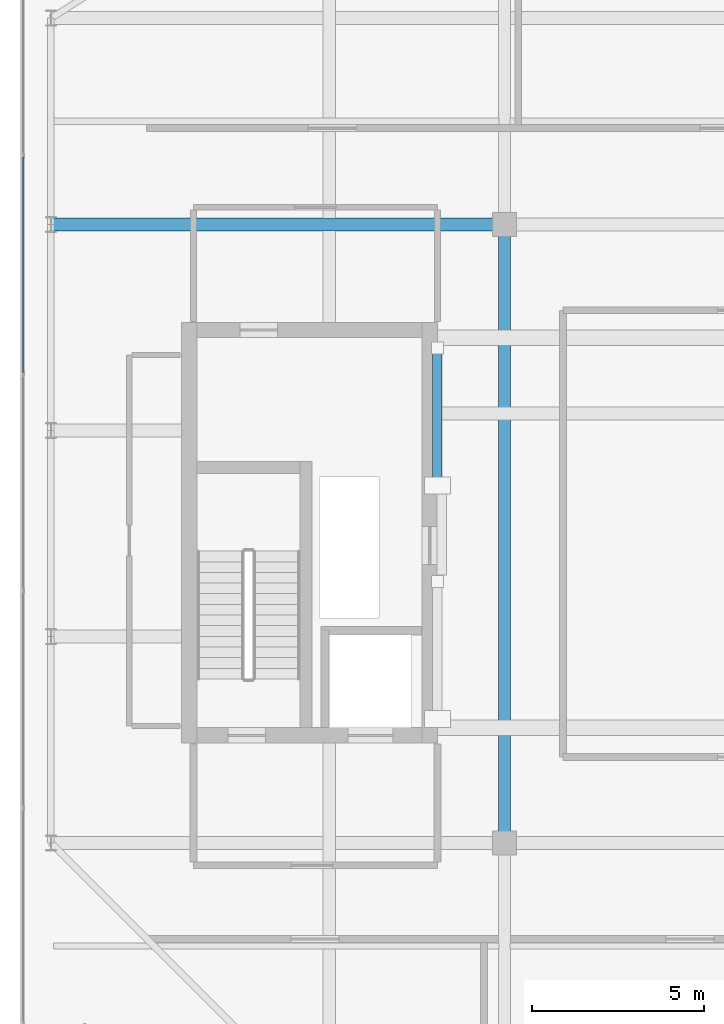
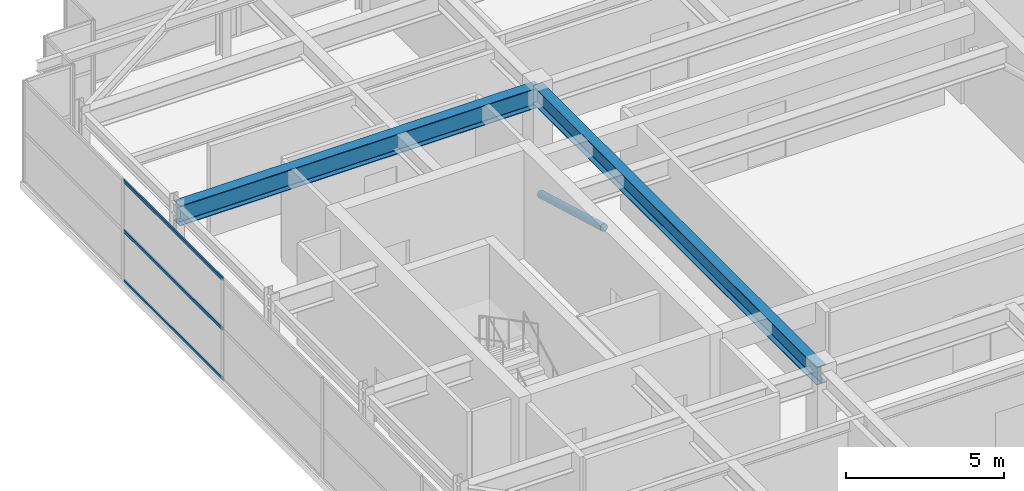
# One storey, part 12 of 32: 4 members, 2 beams, 1 element without a shape of its own.
"""IFC4 building model written with IfcOpenShell, lengths in metres."""

from ifc_helpers import new_model, si_unit, direction, frame, origin, origin_2d, place, context, subcontext, project, spatial, hollow_rectangle, hollow_circle, i_section, extrude, source, transform, mapped, material, layer, layer_set, material_profile, profile_set, type_object, element, aggregate, save


model = new_model("IFC4")

# Units and contexts
model_context = context("Model", 3, precision=1e-05, world=origin(), true_north=direction((0.0, 1.0)))
body_context = subcontext(model_context, "Body", "Model", "MODEL_VIEW")
ifc_project = project(units=[si_unit("LENGTHUNIT", "METRE"), si_unit("AREAUNIT", "SQUARE_METRE"), si_unit("VOLUMEUNIT", "CUBIC_METRE"), si_unit("PLANEANGLEUNIT", "RADIAN"), si_unit("MASSUNIT", "GRAM", prefix="KILO")], contexts=[model_context])

# Site, building, storey
site_placement = place(None, origin())
site = spatial("IfcSite", under=ifc_project, at=site_placement, CompositionType="ELEMENT")
building_placement = place(site_placement, origin())
building = spatial("IfcBuilding", under=site, at=building_placement, Name="Khoralis Quay Care Tower", CompositionType="ELEMENT")
storey_placement = place(building_placement, frame((0.0, 0.0, 306.300048828125)))
storey = spatial("IfcBuildingStorey", under=building, at=storey_placement, Name="L80", CompositionType="ELEMENT", Elevation=306.300048828125)

# Beams
ifc_material_1 = material(Name="Steel S355", Category="steel")
ifc_material_profile_1 = material_profile(ifc_material_1, i_section(OverallWidth=0.35498046875, OverallDepth=0.695068359375, WebThickness=0.015380859375, FlangeThickness=0.02490234375, FilletRadius=0.02001953125, at=origin_2d()), Name="Steel S355")
ifc_profile_set_1 = profile_set([ifc_material_profile_1], Name="Steel S355")
beam_type_1 = type_object("IfcBeamType", Name="BM-W690X217", PredefinedType="BEAM", material=ifc_profile_set_1)
shared_shape_1 = source(origin(), body_context, "Body", "SweptSolid", [
    extrude(i_section(OverallWidth=0.35498046875, OverallDepth=0.695068359375, WebThickness=0.015380859375, FlangeThickness=0.02490234375, FilletRadius=0.02001953125, at=origin_2d()), origin(), (0.0, 0.0, 1.0), 18.0),
])
beam_1_placement = place(storey_placement, frame((17.10009765625, 12.0, 3.572509765625), z_axis=(0.0, 1.0, 0.0), x_axis=(-1.0, 0.0, 0.0)))
element("IfcBeam", 1, at=beam_1_placement, inside=storey, type_object=beam_type_1, Name="BM-TGSW-L80", PredefinedType="BEAM", context=body_context, shape_type="MappedRepresentation", body=[
    mapped(shared_shape_1, transform((0.0, 0.0, 0.0), scale=1.0)),
])
ifc_material_profile_2 = material_profile(ifc_material_1, i_section(OverallWidth=0.381103515625, OverallDepth=0.77294921875, WebThickness=0.0166015625, FlangeThickness=0.027587890625, FilletRadius=0.02197265625, at=origin_2d()), Name="Steel S355")
ifc_profile_set_2 = profile_set([ifc_material_profile_2], Name="Steel S355")
beam_type_2 = type_object("IfcBeamType", Name="BM-W760X257", PredefinedType="BEAM", material=ifc_profile_set_2)
shared_shape_2 = source(origin(), body_context, "Body", "SweptSolid", [
    extrude(i_section(OverallWidth=0.381103515625, OverallDepth=0.77294921875, WebThickness=0.0166015625, FlangeThickness=0.027587890625, FilletRadius=0.02197265625, at=origin_2d()), origin(), (0.0, 0.0, 1.0), 13.2001953125),
])
beam_2_placement = place(storey_placement, frame((3.89990234375, 30.0, 3.533447265625), z_axis=(1.0, 0.0, 0.0), x_axis=(0.0, 1.0, 0.0)))
element("IfcBeam", 2, at=beam_2_placement, inside=storey, type_object=beam_type_2, Name="BM-TGXW-L80-300", PredefinedType="BEAM", context=body_context, shape_type="MappedRepresentation", body=[
    mapped(shared_shape_2, transform((0.0, 0.0, 0.0), scale=1.0)),
])

# Member
ifc_material_profile_3 = material_profile(ifc_material_1, hollow_circle(Radius=0.136474609375, WallThickness=0.012451171875, at=origin_2d()), Name="Steel S355")
ifc_profile_set_3 = profile_set([ifc_material_profile_3], Name="Steel S355")
member_type_1 = type_object("IfcMemberType", Name="ST-CHS273X12", PredefinedType="STRUT", material=ifc_profile_set_3)
shared_shape_3 = source(origin(), body_context, "Body", "SweptSolid", [
    extrude(hollow_circle(Radius=0.136474609375, WallThickness=0.012451171875, at=origin_2d()), origin(), (0.0, 0.0, 1.0), 4.156494140625),
])
member_1_placement = place(storey_placement, frame((15.14794921875, 22.39990234375, 3.64990234375), z_axis=(0.0, 0.962344148942, -0.2718340284), x_axis=(-1.0, 0.0, 0.0)))
element("IfcMember", 3, at=member_1_placement, inside=storey, type_object=member_type_1, Name="L80 Lantern Diagrid Strut 2", PredefinedType="STRUT", context=body_context, shape_type="MappedRepresentation", body=[
    mapped(shared_shape_3, transform((0.0, 0.0, 0.0), scale=1.0)),
])

# Curtain wall, members
ifc_material_2 = material(Name="Pale anodised aluminium", Category="aluminium")
ifc_layer = layer(ifc_material_2, 0.199951171875)
ifc_layer_set = layer_set([ifc_layer], Name="Pale anodised aluminium")
curtain_wall_type = type_object("IfcCurtainWallType", Name="CW-SYS-LANTERN", PredefinedType="NOTDEFINED", material=ifc_layer_set)
curtain_wall_placement = place(storey_placement, origin())
curtain_wall = element("IfcCurtainWall", 4, at=curtain_wall_placement, inside=storey, type_object=curtain_wall_type, Name="L80 Unitised Curtain Wall CW-LN-L80-16", PredefinedType="NOTDEFINED")
ifc_material_profile_4 = material_profile(ifc_material_2, hollow_rectangle(XDim=0.054931640625, YDim=0.1201171875, WallThickness=0.00390625, at=origin_2d()), Name="Pale anodised aluminium")
ifc_profile_set_4 = profile_set([ifc_material_profile_4], Name="Pale anodised aluminium")
member_type_2 = type_object("IfcMemberType", Name="CW-TRN-120", PredefinedType="USERDEFINED", material=ifc_profile_set_4)
shared_shape_4 = source(origin(), body_context, "Body", "SweptSolid", [
    extrude(hollow_rectangle(XDim=0.054931640625, YDim=0.1201171875, WallThickness=0.00390625, at=origin_2d()), origin(), (0.0, 0.0, 1.0), 6.26416015625),
])
member_2_placement = place(storey_placement, frame((3.090087890625, 31.9560546875, 0.030029296875), z_axis=(0.0, -1.0, 0.0), x_axis=(1.0, 0.0, 0.0)))
member_2 = element("IfcMember", 5, at=member_2_placement, type_object=member_type_2, Name="CW5 transom 2.1", ObjectType="TRANSOM", PredefinedType="USERDEFINED", context=body_context, shape_type="MappedRepresentation", body=[
    mapped(shared_shape_4, transform((0.0, 0.0, 0.0), scale=1.0)),
])
member_3_placement = place(storey_placement, frame((3.090087890625, 31.9560546875, 1.9599609375), z_axis=(0.0, -1.0, 0.0), x_axis=(1.0, 0.0, 0.0)))
member_3 = element("IfcMember", 6, at=member_3_placement, type_object=member_type_2, Name="CW5 transom 2.2", ObjectType="TRANSOM", PredefinedType="USERDEFINED", context=body_context, shape_type="MappedRepresentation", body=[
    mapped(shared_shape_4, transform((0.0, 0.0, 0.0), scale=1.0)),
])
member_4_placement = place(storey_placement, frame((3.090087890625, 31.9560546875, 3.889892578125), z_axis=(0.0, -1.0, 0.0), x_axis=(1.0, 0.0, 0.0)))
member_4 = element("IfcMember", 7, at=member_4_placement, type_object=member_type_2, Name="CW5 transom 2.3", ObjectType="TRANSOM", PredefinedType="USERDEFINED", context=body_context, shape_type="MappedRepresentation", body=[
    mapped(shared_shape_4, transform((0.0, 0.0, 0.0), scale=1.0)),
])
aggregate(curtain_wall, [member_2, member_3, member_4])

save(model, "model.ifc")
